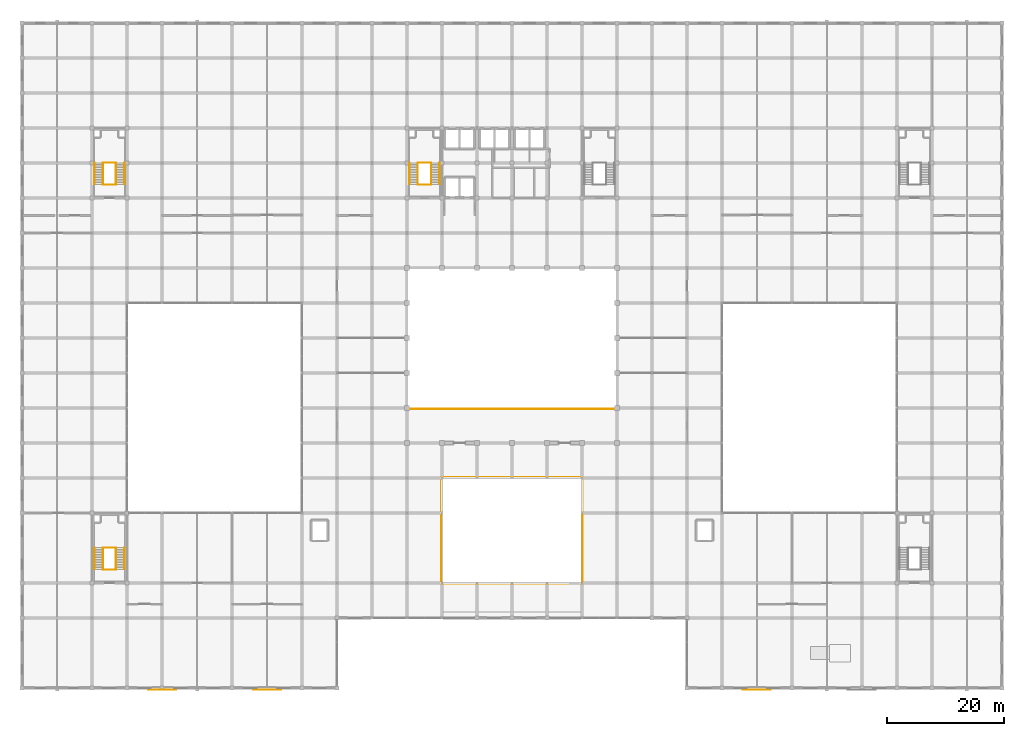
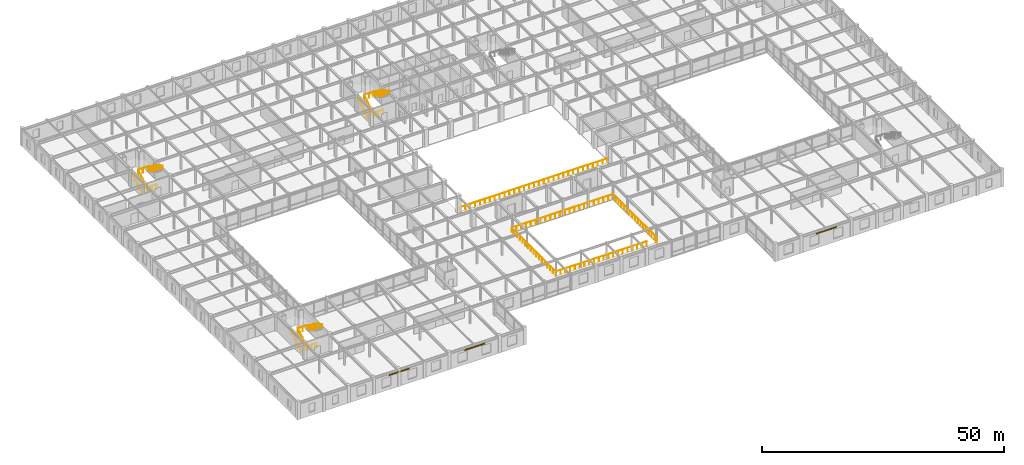
# One storey, part 107 of 108: 14 railings, 3 coverings.
"""IFC4 building model written with IfcOpenShell, lengths in metres."""

from ifc_helpers import new_model, si_unit, direction, frame, origin, origin_2d, place, context, subcontext, project, spatial, rectangle, circle, extrude, material, layer, layer_set, type_object, element, save


model = new_model("IFC4")

# Units and contexts
model_context = context("Model", 3, precision=1e-05, world=origin(), true_north=direction((0.0, 1.0)))
body_context = subcontext(model_context, "Body", "Model", "MODEL_VIEW")
ifc_project = project(units=[si_unit("LENGTHUNIT", "METRE"), si_unit("AREAUNIT", "SQUARE_METRE"), si_unit("VOLUMEUNIT", "CUBIC_METRE"), si_unit("PLANEANGLEUNIT", "RADIAN"), si_unit("MASSUNIT", "GRAM", prefix="KILO")], contexts=[model_context])

# Site, building, storey
site_placement = place(None, origin())
site = spatial("IfcSite", under=ifc_project, at=site_placement, CompositionType="ELEMENT")
building_placement = place(site_placement, origin())
building = spatial("IfcBuilding", under=site, at=building_placement, Name="Zlatovratsky Civic Hall", CompositionType="ELEMENT")
storey_placement = place(building_placement, frame((0.0, 0.0, 12.0)))
storey = spatial("IfcBuildingStorey", under=building, at=storey_placement, Name="L03", CompositionType="ELEMENT", Elevation=12.0)

# Coverings
ifc_material_1 = material(Name="Podolsk limestone ashlar", Category="masonry")
ifc_layer = layer(ifc_material_1, 0.054931640625)
ifc_layer_set = layer_set([ifc_layer], Name="Podolsk limestone ashlar")
covering_type = type_object("IfcCoveringType", Name="Covering_CorniceCladding_55", PredefinedType="CLADDING", material=ifc_layer_set)
for number, where, z_axis, x_axis, name in (
    (1, (24.0, -0.297607421875, 3.47021484375), (0.0, 0.0, 1.0), (1.0, 0.0, 0.0), "CLD-009"),
    (2, (42.0, -0.297607421875, 3.47021484375), (0.0, 0.0, 1.0), (1.0, 0.0, 0.0), "CLD-010"),
    (3, (126.0, -0.297607421875, 3.47021484375), (0.0, 0.0, 1.0), (1.0, 0.0, 0.0), "CLD-011"),
):
    element("IfcCovering", number, at=place(storey_placement, frame(where, z_axis=z_axis, x_axis=x_axis)), inside=storey, type_object=covering_type, Name=name, PredefinedType="CLADDING", context=body_context, shape_type="SweptSolid", body=[
        extrude(rectangle(XDim=4.800048828125, YDim=0.054931640625, at=origin_2d()), origin(), (0.0, 0.0, 1.0), 0.300048828125),
    ])

# Railings
ifc_material_2 = material(Name="Brushed stainless steel AISI 304", Category="steel")
railing_type_1 = type_object("IfcRailingType", Name="Railing_Guardrail_1200", PredefinedType="GUARDRAIL", material=ifc_material_2)
railing_1_placement = place(storey_placement, frame((67.840087890625, 86.35009765625, 0.0)))
element("IfcRailing", 4, at=railing_1_placement, inside=storey, type_object=railing_type_1, Name="RL-0512", PredefinedType="GUARDRAIL", context=body_context, shape_type="SweptSolid", body=[
    extrude(circle(Radius=0.02392578125, at=origin_2d()), frame((0.0, 0.0, 1.17578125), z_axis=(0.0, 0.854722365387, 0.519085424673), x_axis=(-1.0, 0.0, 0.0)), (0.0, 0.0, 1.0), 4.33447265625),
    extrude(circle(Radius=0.02392578125, at=origin_2d()), frame((0.0, 3.704833984375, 3.42578125), z_axis=(1.0, 0.0, 0.0), x_axis=(0.0, 1.0, 0.0)), (0.0, 0.0, 1.0), 2.31982421875),
    extrude(circle(Radius=0.02392578125, at=origin_2d()), frame((2.31982421875, 3.704833984375, 3.42578125), z_axis=(0.0, -0.854722365387, 0.519085424673), x_axis=(1.0, 0.0, 0.0)), (0.0, 0.0, 1.0), 4.33447265625),
    extrude(circle(Radius=0.02099609375, at=origin_2d()), origin(), (0.0, 0.0, 1.0), 1.15185546875),
    extrude(circle(Radius=0.02099609375, at=origin_2d()), frame((0.0, 0.92626953125, 0.5625)), (0.0, 0.0, 1.0), 1.15185546875),
    extrude(circle(Radius=0.02099609375, at=origin_2d()), frame((0.0, 1.8525390625, 1.125)), (0.0, 0.0, 1.0), 1.15185546875),
    extrude(circle(Radius=0.02099609375, at=origin_2d()), frame((0.0, 2.778564453125, 1.6875)), (0.0, 0.0, 1.0), 1.15185546875),
    extrude(circle(Radius=0.02099609375, at=origin_2d()), frame((0.0, 3.704833984375, 2.25)), (0.0, 0.0, 1.0), 1.15185546875),
    extrude(circle(Radius=0.02099609375, at=origin_2d()), frame((1.159912109375, 3.704833984375, 2.25)), (0.0, 0.0, 1.0), 1.15185546875),
    extrude(circle(Radius=0.02099609375, at=origin_2d()), frame((2.31982421875, 3.704833984375, 2.25)), (0.0, 0.0, 1.0), 1.15185546875),
    extrude(circle(Radius=0.02099609375, at=origin_2d()), frame((2.31982421875, 2.778564453125, 2.8125)), (0.0, 0.0, 1.0), 1.15185546875),
    extrude(circle(Radius=0.02099609375, at=origin_2d()), frame((2.31982421875, 1.8525390625, 3.375)), (0.0, 0.0, 1.0), 1.15185546875),
    extrude(circle(Radius=0.02099609375, at=origin_2d()), frame((2.31982421875, 0.92626953125, 3.9375)), (0.0, 0.0, 1.0), 1.15185546875),
    extrude(circle(Radius=0.02099609375, at=origin_2d()), frame((2.31982421875, 0.0, 4.5)), (0.0, 0.0, 1.0), 1.15185546875),
])
railing_2_placement = place(storey_placement, frame((67.840087890625, 86.27001953125, 0.0)))
element("IfcRailing", 5, at=railing_2_placement, inside=storey, type_object=railing_type_1, Name="RL-0515", PredefinedType="GUARDRAIL", context=body_context, shape_type="SweptSolid", body=[
    extrude(circle(Radius=0.02392578125, at=origin_2d()), frame((0.0, 0.0, 1.17578125), z_axis=(1.0, 0.0, 0.0), x_axis=(0.0, 1.0, 0.0)), (0.0, 0.0, 1.0), 2.31982421875),
    extrude(circle(Radius=0.02099609375, at=origin_2d()), origin(), (0.0, 0.0, 1.0), 1.15185546875),
    extrude(circle(Radius=0.02099609375, at=origin_2d()), frame((1.159912109375, 0.0, 0.0)), (0.0, 0.0, 1.0), 1.15185546875),
    extrude(circle(Radius=0.02099609375, at=origin_2d()), frame((2.31982421875, 0.0, 0.0)), (0.0, 0.0, 1.0), 1.15185546875),
])
railing_3_placement = place(storey_placement, frame((13.889892578125, 20.35009765625, 0.0)))
element("IfcRailing", 6, at=railing_3_placement, inside=storey, type_object=railing_type_1, Name="RL-0660", PredefinedType="GUARDRAIL", context=body_context, shape_type="SweptSolid", body=[
    extrude(circle(Radius=0.02392578125, at=origin_2d()), frame((0.0, 0.0, 1.17578125), z_axis=(0.0, 0.854722365387, 0.519085424673), x_axis=(-1.0, 0.0, 0.0)), (0.0, 0.0, 1.0), 4.33447265625),
    extrude(circle(Radius=0.02392578125, at=origin_2d()), frame((0.0, 3.704833984375, 3.42578125), z_axis=(1.0, 0.0, 0.0), x_axis=(0.0, 1.0, 0.0)), (0.0, 0.0, 1.0), 2.22021484375),
    extrude(circle(Radius=0.02392578125, at=origin_2d()), frame((2.22021484375, 3.704833984375, 3.42578125), z_axis=(0.0, -0.854722365387, 0.519085424673), x_axis=(1.0, 0.0, 0.0)), (0.0, 0.0, 1.0), 4.33447265625),
    extrude(circle(Radius=0.02099609375, at=origin_2d()), origin(), (0.0, 0.0, 1.0), 1.15185546875),
    extrude(circle(Radius=0.02099609375, at=origin_2d()), frame((0.0, 0.92626953125, 0.5625)), (0.0, 0.0, 1.0), 1.15185546875),
    extrude(circle(Radius=0.02099609375, at=origin_2d()), frame((0.0, 1.8525390625, 1.125)), (0.0, 0.0, 1.0), 1.15185546875),
    extrude(circle(Radius=0.02099609375, at=origin_2d()), frame((0.0, 2.778564453125, 1.6875)), (0.0, 0.0, 1.0), 1.15185546875),
    extrude(circle(Radius=0.02099609375, at=origin_2d()), frame((0.0, 3.704833984375, 2.25)), (0.0, 0.0, 1.0), 1.15185546875),
    extrude(circle(Radius=0.02099609375, at=origin_2d()), frame((1.110107421875, 3.704833984375, 2.25)), (0.0, 0.0, 1.0), 1.15185546875),
    extrude(circle(Radius=0.02099609375, at=origin_2d()), frame((2.22021484375, 3.704833984375, 2.25)), (0.0, 0.0, 1.0), 1.15185546875),
    extrude(circle(Radius=0.02099609375, at=origin_2d()), frame((2.22021484375, 2.778564453125, 2.8125)), (0.0, 0.0, 1.0), 1.15185546875),
    extrude(circle(Radius=0.02099609375, at=origin_2d()), frame((2.22021484375, 1.8525390625, 3.375)), (0.0, 0.0, 1.0), 1.15185546875),
    extrude(circle(Radius=0.02099609375, at=origin_2d()), frame((2.22021484375, 0.92626953125, 3.9375)), (0.0, 0.0, 1.0), 1.15185546875),
    extrude(circle(Radius=0.02099609375, at=origin_2d()), frame((2.22021484375, 0.0, 4.5)), (0.0, 0.0, 1.0), 1.15185546875),
])
railing_4_placement = place(storey_placement, frame((13.889892578125, 20.27001953125, 0.0)))
element("IfcRailing", 7, at=railing_4_placement, inside=storey, type_object=railing_type_1, Name="RL-0663", PredefinedType="GUARDRAIL", context=body_context, shape_type="SweptSolid", body=[
    extrude(circle(Radius=0.02392578125, at=origin_2d()), frame((0.0, 0.0, 1.17578125), z_axis=(1.0, 0.0, 0.0), x_axis=(0.0, 1.0, 0.0)), (0.0, 0.0, 1.0), 2.22021484375),
    extrude(circle(Radius=0.02099609375, at=origin_2d()), origin(), (0.0, 0.0, 1.0), 1.15185546875),
    extrude(circle(Radius=0.02099609375, at=origin_2d()), frame((1.110107421875, 0.0, 0.0)), (0.0, 0.0, 1.0), 1.15185546875),
    extrude(circle(Radius=0.02099609375, at=origin_2d()), frame((2.22021484375, 0.0, 0.0)), (0.0, 0.0, 1.0), 1.15185546875),
])
railing_5_placement = place(storey_placement, frame((13.889892578125, 86.35009765625, 0.0)))
element("IfcRailing", 8, at=railing_5_placement, inside=storey, type_object=railing_type_1, Name="RL-0692", PredefinedType="GUARDRAIL", context=body_context, shape_type="SweptSolid", body=[
    extrude(circle(Radius=0.02392578125, at=origin_2d()), frame((0.0, 0.0, 1.17578125), z_axis=(0.0, 0.854722365387, 0.519085424673), x_axis=(-1.0, 0.0, 0.0)), (0.0, 0.0, 1.0), 4.33447265625),
    extrude(circle(Radius=0.02392578125, at=origin_2d()), frame((0.0, 3.704833984375, 3.42578125), z_axis=(1.0, 0.0, 0.0), x_axis=(0.0, 1.0, 0.0)), (0.0, 0.0, 1.0), 2.22021484375),
    extrude(circle(Radius=0.02392578125, at=origin_2d()), frame((2.22021484375, 3.704833984375, 3.42578125), z_axis=(0.0, -0.854722365387, 0.519085424673), x_axis=(1.0, 0.0, 0.0)), (0.0, 0.0, 1.0), 4.33447265625),
    extrude(circle(Radius=0.02099609375, at=origin_2d()), origin(), (0.0, 0.0, 1.0), 1.15185546875),
    extrude(circle(Radius=0.02099609375, at=origin_2d()), frame((0.0, 0.92626953125, 0.5625)), (0.0, 0.0, 1.0), 1.15185546875),
    extrude(circle(Radius=0.02099609375, at=origin_2d()), frame((0.0, 1.8525390625, 1.125)), (0.0, 0.0, 1.0), 1.15185546875),
    extrude(circle(Radius=0.02099609375, at=origin_2d()), frame((0.0, 2.778564453125, 1.6875)), (0.0, 0.0, 1.0), 1.15185546875),
    extrude(circle(Radius=0.02099609375, at=origin_2d()), frame((0.0, 3.704833984375, 2.25)), (0.0, 0.0, 1.0), 1.15185546875),
    extrude(circle(Radius=0.02099609375, at=origin_2d()), frame((1.110107421875, 3.704833984375, 2.25)), (0.0, 0.0, 1.0), 1.15185546875),
    extrude(circle(Radius=0.02099609375, at=origin_2d()), frame((2.22021484375, 3.704833984375, 2.25)), (0.0, 0.0, 1.0), 1.15185546875),
    extrude(circle(Radius=0.02099609375, at=origin_2d()), frame((2.22021484375, 2.778564453125, 2.8125)), (0.0, 0.0, 1.0), 1.15185546875),
    extrude(circle(Radius=0.02099609375, at=origin_2d()), frame((2.22021484375, 1.8525390625, 3.375)), (0.0, 0.0, 1.0), 1.15185546875),
    extrude(circle(Radius=0.02099609375, at=origin_2d()), frame((2.22021484375, 0.92626953125, 3.9375)), (0.0, 0.0, 1.0), 1.15185546875),
    extrude(circle(Radius=0.02099609375, at=origin_2d()), frame((2.22021484375, 0.0, 4.5)), (0.0, 0.0, 1.0), 1.15185546875),
])
railing_6_placement = place(storey_placement, frame((13.889892578125, 86.27001953125, 0.0)))
element("IfcRailing", 9, at=railing_6_placement, inside=storey, type_object=railing_type_1, Name="RL-0695", PredefinedType="GUARDRAIL", context=body_context, shape_type="SweptSolid", body=[
    extrude(circle(Radius=0.02392578125, at=origin_2d()), frame((0.0, 0.0, 1.17578125), z_axis=(1.0, 0.0, 0.0), x_axis=(0.0, 1.0, 0.0)), (0.0, 0.0, 1.0), 2.22021484375),
    extrude(circle(Radius=0.02099609375, at=origin_2d()), origin(), (0.0, 0.0, 1.0), 1.15185546875),
    extrude(circle(Radius=0.02099609375, at=origin_2d()), frame((1.110107421875, 0.0, 0.0)), (0.0, 0.0, 1.0), 1.15185546875),
    extrude(circle(Radius=0.02099609375, at=origin_2d()), frame((2.22021484375, 0.0, 0.0)), (0.0, 0.0, 1.0), 1.15185546875),
])
railing_7_placement = place(storey_placement, frame((93.60009765625, 17.8798828125, 0.0)))
element("IfcRailing", 10, at=railing_7_placement, inside=storey, type_object=railing_type_1, Name="RL-0728", PredefinedType="GUARDRAIL", context=body_context, shape_type="SweptSolid", body=[
    extrude(circle(Radius=0.02392578125, at=origin_2d()), frame((0.0, 0.0, 1.17578125), z_axis=(-1.0, 0.0, 0.0), x_axis=(0.0, -1.0, 0.0)), (0.0, 0.0, 1.0), 21.72021484375),
    extrude(circle(Radius=0.02392578125, at=origin_2d()), frame((-21.72021484375, 0.0, 1.17578125), z_axis=(0.0, 1.0, 0.0), x_axis=(-1.0, 0.0, 0.0)), (0.0, 0.0, 1.0), 18.240234375),
    extrude(circle(Radius=0.02392578125, at=origin_2d()), frame((-21.72021484375, 18.240234375, 1.17578125), z_axis=(1.0, 0.0, 0.0), x_axis=(0.0, 1.0, 0.0)), (0.0, 0.0, 1.0), 24.240234375),
    extrude(circle(Radius=0.02392578125, at=origin_2d()), frame((2.52001953125, 18.240234375, 1.17578125), z_axis=(0.0, -1.0, 0.0), x_axis=(1.0, 0.0, 0.0)), (0.0, 0.0, 1.0), 18.240234375),
    extrude(circle(Radius=0.02392578125, at=origin_2d()), frame((2.52001953125, 0.0, 1.17578125), z_axis=(-1.0, 0.0, 0.0), x_axis=(0.0, -1.0, 0.0)), (0.0, 0.0, 1.0), 0.320068359375),
    extrude(circle(Radius=0.02099609375, at=origin_2d()), origin(), (0.0, 0.0, 1.0), 1.15185546875),
    extrude(circle(Radius=0.02099609375, at=origin_2d()), frame((-1.14306640625, 0.0, 0.0)), (0.0, 0.0, 1.0), 1.15185546875),
    extrude(circle(Radius=0.02099609375, at=origin_2d()), frame((-2.286376953125, 0.0, 0.0)), (0.0, 0.0, 1.0), 1.15185546875),
    extrude(circle(Radius=0.02099609375, at=origin_2d()), frame((-3.429443359375, 0.0, 0.0)), (0.0, 0.0, 1.0), 1.15185546875),
    extrude(circle(Radius=0.02099609375, at=origin_2d()), frame((-4.57275390625, 0.0, 0.0)), (0.0, 0.0, 1.0), 1.15185546875),
    extrude(circle(Radius=0.02099609375, at=origin_2d()), frame((-5.7158203125, 0.0, 0.0)), (0.0, 0.0, 1.0), 1.15185546875),
    extrude(circle(Radius=0.02099609375, at=origin_2d()), frame((-6.859130859375, 0.0, 0.0)), (0.0, 0.0, 1.0), 1.15185546875),
    extrude(circle(Radius=0.02099609375, at=origin_2d()), frame((-8.002197265625, 0.0, 0.0)), (0.0, 0.0, 1.0), 1.15185546875),
    extrude(circle(Radius=0.02099609375, at=origin_2d()), frame((-9.145263671875, 0.0, 0.0)), (0.0, 0.0, 1.0), 1.15185546875),
    extrude(circle(Radius=0.02099609375, at=origin_2d()), frame((-10.28857421875, 0.0, 0.0)), (0.0, 0.0, 1.0), 1.15185546875),
    extrude(circle(Radius=0.02099609375, at=origin_2d()), frame((-11.431640625, 0.0, 0.0)), (0.0, 0.0, 1.0), 1.15185546875),
    extrude(circle(Radius=0.02099609375, at=origin_2d()), frame((-12.574951171875, 0.0, 0.0)), (0.0, 0.0, 1.0), 1.15185546875),
    extrude(circle(Radius=0.02099609375, at=origin_2d()), frame((-13.718017578125, 0.0, 0.0)), (0.0, 0.0, 1.0), 1.15185546875),
    extrude(circle(Radius=0.02099609375, at=origin_2d()), frame((-14.861083984375, 0.0, 0.0)), (0.0, 0.0, 1.0), 1.15185546875),
    extrude(circle(Radius=0.02099609375, at=origin_2d()), frame((-16.00439453125, 0.0, 0.0)), (0.0, 0.0, 1.0), 1.15185546875),
    extrude(circle(Radius=0.02099609375, at=origin_2d()), frame((-17.1474609375, 0.0, 0.0)), (0.0, 0.0, 1.0), 1.15185546875),
    extrude(circle(Radius=0.02099609375, at=origin_2d()), frame((-18.290771484375, 0.0, 0.0)), (0.0, 0.0, 1.0), 1.15185546875),
    extrude(circle(Radius=0.02099609375, at=origin_2d()), frame((-19.433837890625, 0.0, 0.0)), (0.0, 0.0, 1.0), 1.15185546875),
    extrude(circle(Radius=0.02099609375, at=origin_2d()), frame((-20.5771484375, 0.0, 0.0)), (0.0, 0.0, 1.0), 1.15185546875),
    extrude(circle(Radius=0.02099609375, at=origin_2d()), frame((-21.72021484375, 0.0, 0.0)), (0.0, 0.0, 1.0), 1.15185546875),
    extrude(circle(Radius=0.02099609375, at=origin_2d()), frame((-21.72021484375, 1.14013671875, 0.0)), (0.0, 0.0, 1.0), 1.15185546875),
    extrude(circle(Radius=0.02099609375, at=origin_2d()), frame((-21.72021484375, 2.280029296875, 0.0)), (0.0, 0.0, 1.0), 1.15185546875),
    extrude(circle(Radius=0.02099609375, at=origin_2d()), frame((-21.72021484375, 3.419921875, 0.0)), (0.0, 0.0, 1.0), 1.15185546875),
    extrude(circle(Radius=0.02099609375, at=origin_2d()), frame((-21.72021484375, 4.56005859375, 0.0)), (0.0, 0.0, 1.0), 1.15185546875),
    extrude(circle(Radius=0.02099609375, at=origin_2d()), frame((-21.72021484375, 5.7001953125, 0.0)), (0.0, 0.0, 1.0), 1.15185546875),
    extrude(circle(Radius=0.02099609375, at=origin_2d()), frame((-21.72021484375, 6.840087890625, 0.0)), (0.0, 0.0, 1.0), 1.15185546875),
    extrude(circle(Radius=0.02099609375, at=origin_2d()), frame((-21.72021484375, 7.97998046875, 0.0)), (0.0, 0.0, 1.0), 1.15185546875),
    extrude(circle(Radius=0.02099609375, at=origin_2d()), frame((-21.72021484375, 9.1201171875, 0.0)), (0.0, 0.0, 1.0), 1.15185546875),
    extrude(circle(Radius=0.02099609375, at=origin_2d()), frame((-21.72021484375, 10.26025390625, 0.0)), (0.0, 0.0, 1.0), 1.15185546875),
    extrude(circle(Radius=0.02099609375, at=origin_2d()), frame((-21.72021484375, 11.400146484375, 0.0)), (0.0, 0.0, 1.0), 1.15185546875),
    extrude(circle(Radius=0.02099609375, at=origin_2d()), frame((-21.72021484375, 12.5400390625, 0.0)), (0.0, 0.0, 1.0), 1.15185546875),
    extrude(circle(Radius=0.02099609375, at=origin_2d()), frame((-21.72021484375, 13.68017578125, 0.0)), (0.0, 0.0, 1.0), 1.15185546875),
    extrude(circle(Radius=0.02099609375, at=origin_2d()), frame((-21.72021484375, 14.8203125, 0.0)), (0.0, 0.0, 1.0), 1.15185546875),
    extrude(circle(Radius=0.02099609375, at=origin_2d()), frame((-21.72021484375, 15.960205078125, 0.0)), (0.0, 0.0, 1.0), 1.15185546875),
    extrude(circle(Radius=0.02099609375, at=origin_2d()), frame((-21.72021484375, 17.10009765625, 0.0)), (0.0, 0.0, 1.0), 1.15185546875),
    extrude(circle(Radius=0.02099609375, at=origin_2d()), frame((-21.72021484375, 18.240234375, 0.0)), (0.0, 0.0, 1.0), 1.15185546875),
    extrude(circle(Radius=0.02099609375, at=origin_2d()), frame((-20.56591796875, 18.240234375, 0.0)), (0.0, 0.0, 1.0), 1.15185546875),
    extrude(circle(Radius=0.02099609375, at=origin_2d()), frame((-19.41162109375, 18.240234375, 0.0)), (0.0, 0.0, 1.0), 1.15185546875),
    extrude(circle(Radius=0.02099609375, at=origin_2d()), frame((-18.25732421875, 18.240234375, 0.0)), (0.0, 0.0, 1.0), 1.15185546875),
    extrude(circle(Radius=0.02099609375, at=origin_2d()), frame((-17.10302734375, 18.240234375, 0.0)), (0.0, 0.0, 1.0), 1.15185546875),
    extrude(circle(Radius=0.02099609375, at=origin_2d()), frame((-15.94873046875, 18.240234375, 0.0)), (0.0, 0.0, 1.0), 1.15185546875),
    extrude(circle(Radius=0.02099609375, at=origin_2d()), frame((-14.79443359375, 18.240234375, 0.0)), (0.0, 0.0, 1.0), 1.15185546875),
    extrude(circle(Radius=0.02099609375, at=origin_2d()), frame((-13.64013671875, 18.240234375, 0.0)), (0.0, 0.0, 1.0), 1.15185546875),
    extrude(circle(Radius=0.02099609375, at=origin_2d()), frame((-12.48583984375, 18.240234375, 0.0)), (0.0, 0.0, 1.0), 1.15185546875),
    extrude(circle(Radius=0.02099609375, at=origin_2d()), frame((-11.33154296875, 18.240234375, 0.0)), (0.0, 0.0, 1.0), 1.15185546875),
    extrude(circle(Radius=0.02099609375, at=origin_2d()), frame((-10.17724609375, 18.240234375, 0.0)), (0.0, 0.0, 1.0), 1.15185546875),
    extrude(circle(Radius=0.02099609375, at=origin_2d()), frame((-9.02294921875, 18.240234375, 0.0)), (0.0, 0.0, 1.0), 1.15185546875),
    extrude(circle(Radius=0.02099609375, at=origin_2d()), frame((-7.86865234375, 18.240234375, 0.0)), (0.0, 0.0, 1.0), 1.15185546875),
    extrude(circle(Radius=0.02099609375, at=origin_2d()), frame((-6.71435546875, 18.240234375, 0.0)), (0.0, 0.0, 1.0), 1.15185546875),
    extrude(circle(Radius=0.02099609375, at=origin_2d()), frame((-5.56005859375, 18.240234375, 0.0)), (0.0, 0.0, 1.0), 1.15185546875),
    extrude(circle(Radius=0.02099609375, at=origin_2d()), frame((-4.40576171875, 18.240234375, 0.0)), (0.0, 0.0, 1.0), 1.15185546875),
    extrude(circle(Radius=0.02099609375, at=origin_2d()), frame((-3.25146484375, 18.240234375, 0.0)), (0.0, 0.0, 1.0), 1.15185546875),
    extrude(circle(Radius=0.02099609375, at=origin_2d()), frame((-2.09716796875, 18.240234375, 0.0)), (0.0, 0.0, 1.0), 1.15185546875),
    extrude(circle(Radius=0.02099609375, at=origin_2d()), frame((-0.94287109375, 18.240234375, 0.0)), (0.0, 0.0, 1.0), 1.15185546875),
    extrude(circle(Radius=0.02099609375, at=origin_2d()), frame((0.21142578125, 18.240234375, 0.0)), (0.0, 0.0, 1.0), 1.15185546875),
    extrude(circle(Radius=0.02099609375, at=origin_2d()), frame((1.36572265625, 18.240234375, 0.0)), (0.0, 0.0, 1.0), 1.15185546875),
    extrude(circle(Radius=0.02099609375, at=origin_2d()), frame((2.52001953125, 18.240234375, 0.0)), (0.0, 0.0, 1.0), 1.15185546875),
    extrude(circle(Radius=0.02099609375, at=origin_2d()), frame((2.52001953125, 17.10009765625, 0.0)), (0.0, 0.0, 1.0), 1.15185546875),
    extrude(circle(Radius=0.02099609375, at=origin_2d()), frame((2.52001953125, 15.960205078125, 0.0)), (0.0, 0.0, 1.0), 1.15185546875),
    extrude(circle(Radius=0.02099609375, at=origin_2d()), frame((2.52001953125, 14.8203125, 0.0)), (0.0, 0.0, 1.0), 1.15185546875),
    extrude(circle(Radius=0.02099609375, at=origin_2d()), frame((2.52001953125, 13.68017578125, 0.0)), (0.0, 0.0, 1.0), 1.15185546875),
    extrude(circle(Radius=0.02099609375, at=origin_2d()), frame((2.52001953125, 12.5400390625, 0.0)), (0.0, 0.0, 1.0), 1.15185546875),
    extrude(circle(Radius=0.02099609375, at=origin_2d()), frame((2.52001953125, 11.400146484375, 0.0)), (0.0, 0.0, 1.0), 1.15185546875),
    extrude(circle(Radius=0.02099609375, at=origin_2d()), frame((2.52001953125, 10.26025390625, 0.0)), (0.0, 0.0, 1.0), 1.15185546875),
    extrude(circle(Radius=0.02099609375, at=origin_2d()), frame((2.52001953125, 9.1201171875, 0.0)), (0.0, 0.0, 1.0), 1.15185546875),
    extrude(circle(Radius=0.02099609375, at=origin_2d()), frame((2.52001953125, 7.97998046875, 0.0)), (0.0, 0.0, 1.0), 1.15185546875),
    extrude(circle(Radius=0.02099609375, at=origin_2d()), frame((2.52001953125, 6.840087890625, 0.0)), (0.0, 0.0, 1.0), 1.15185546875),
    extrude(circle(Radius=0.02099609375, at=origin_2d()), frame((2.52001953125, 5.7001953125, 0.0)), (0.0, 0.0, 1.0), 1.15185546875),
    extrude(circle(Radius=0.02099609375, at=origin_2d()), frame((2.52001953125, 4.56005859375, 0.0)), (0.0, 0.0, 1.0), 1.15185546875),
    extrude(circle(Radius=0.02099609375, at=origin_2d()), frame((2.52001953125, 3.419921875, 0.0)), (0.0, 0.0, 1.0), 1.15185546875),
    extrude(circle(Radius=0.02099609375, at=origin_2d()), frame((2.52001953125, 2.280029296875, 0.0)), (0.0, 0.0, 1.0), 1.15185546875),
    extrude(circle(Radius=0.02099609375, at=origin_2d()), frame((2.52001953125, 1.14013671875, 0.0)), (0.0, 0.0, 1.0), 1.15185546875),
    extrude(circle(Radius=0.02099609375, at=origin_2d()), frame((2.52001953125, 0.0, 0.0)), (0.0, 0.0, 1.0), 1.15185546875),
    extrude(circle(Radius=0.02099609375, at=origin_2d()), frame((2.199951171875, 0.0, 0.0)), (0.0, 0.0, 1.0), 1.15185546875),
])
railing_8_placement = place(storey_placement, frame((66.449951171875, 47.860107421875, 0.0)))
element("IfcRailing", 11, at=railing_8_placement, inside=storey, type_object=railing_type_1, Name="RL-0729", PredefinedType="GUARDRAIL", context=body_context, shape_type="SweptSolid", body=[
    extrude(circle(Radius=0.02392578125, at=origin_2d()), frame((0.0, 0.0, 1.17578125), z_axis=(1.0, 0.0, 0.0), x_axis=(0.0, 1.0, 0.0)), (0.0, 0.0, 1.0), 35.10009765625),
    extrude(circle(Radius=0.02099609375, at=origin_2d()), origin(), (0.0, 0.0, 1.0), 1.15185546875),
    extrude(circle(Radius=0.02099609375, at=origin_2d()), frame((1.169921875, 0.0, 0.0)), (0.0, 0.0, 1.0), 1.15185546875),
    extrude(circle(Radius=0.02099609375, at=origin_2d()), frame((2.340087890625, 0.0, 0.0)), (0.0, 0.0, 1.0), 1.15185546875),
    extrude(circle(Radius=0.02099609375, at=origin_2d()), frame((3.510009765625, 0.0, 0.0)), (0.0, 0.0, 1.0), 1.15185546875),
    extrude(circle(Radius=0.02099609375, at=origin_2d()), frame((4.679931640625, 0.0, 0.0)), (0.0, 0.0, 1.0), 1.15185546875),
    extrude(circle(Radius=0.02099609375, at=origin_2d()), frame((5.85009765625, 0.0, 0.0)), (0.0, 0.0, 1.0), 1.15185546875),
    extrude(circle(Radius=0.02099609375, at=origin_2d()), frame((7.02001953125, 0.0, 0.0)), (0.0, 0.0, 1.0), 1.15185546875),
    extrude(circle(Radius=0.02099609375, at=origin_2d()), frame((8.18994140625, 0.0, 0.0)), (0.0, 0.0, 1.0), 1.15185546875),
    extrude(circle(Radius=0.02099609375, at=origin_2d()), frame((9.360107421875, 0.0, 0.0)), (0.0, 0.0, 1.0), 1.15185546875),
    extrude(circle(Radius=0.02099609375, at=origin_2d()), frame((10.530029296875, 0.0, 0.0)), (0.0, 0.0, 1.0), 1.15185546875),
    extrude(circle(Radius=0.02099609375, at=origin_2d()), frame((11.699951171875, 0.0, 0.0)), (0.0, 0.0, 1.0), 1.15185546875),
    extrude(circle(Radius=0.02099609375, at=origin_2d()), frame((12.8701171875, 0.0, 0.0)), (0.0, 0.0, 1.0), 1.15185546875),
    extrude(circle(Radius=0.02099609375, at=origin_2d()), frame((14.0400390625, 0.0, 0.0)), (0.0, 0.0, 1.0), 1.15185546875),
    extrude(circle(Radius=0.02099609375, at=origin_2d()), frame((15.2099609375, 0.0, 0.0)), (0.0, 0.0, 1.0), 1.15185546875),
    extrude(circle(Radius=0.02099609375, at=origin_2d()), frame((16.380126953125, 0.0, 0.0)), (0.0, 0.0, 1.0), 1.15185546875),
    extrude(circle(Radius=0.02099609375, at=origin_2d()), frame((17.550048828125, 0.0, 0.0)), (0.0, 0.0, 1.0), 1.15185546875),
    extrude(circle(Radius=0.02099609375, at=origin_2d()), frame((18.719970703125, 0.0, 0.0)), (0.0, 0.0, 1.0), 1.15185546875),
    extrude(circle(Radius=0.02099609375, at=origin_2d()), frame((19.89013671875, 0.0, 0.0)), (0.0, 0.0, 1.0), 1.15185546875),
    extrude(circle(Radius=0.02099609375, at=origin_2d()), frame((21.06005859375, 0.0, 0.0)), (0.0, 0.0, 1.0), 1.15185546875),
    extrude(circle(Radius=0.02099609375, at=origin_2d()), frame((22.22998046875, 0.0, 0.0)), (0.0, 0.0, 1.0), 1.15185546875),
    extrude(circle(Radius=0.02099609375, at=origin_2d()), frame((23.400146484375, 0.0, 0.0)), (0.0, 0.0, 1.0), 1.15185546875),
    extrude(circle(Radius=0.02099609375, at=origin_2d()), frame((24.570068359375, 0.0, 0.0)), (0.0, 0.0, 1.0), 1.15185546875),
    extrude(circle(Radius=0.02099609375, at=origin_2d()), frame((25.739990234375, 0.0, 0.0)), (0.0, 0.0, 1.0), 1.15185546875),
    extrude(circle(Radius=0.02099609375, at=origin_2d()), frame((26.91015625, 0.0, 0.0)), (0.0, 0.0, 1.0), 1.15185546875),
    extrude(circle(Radius=0.02099609375, at=origin_2d()), frame((28.080078125, 0.0, 0.0)), (0.0, 0.0, 1.0), 1.15185546875),
    extrude(circle(Radius=0.02099609375, at=origin_2d()), frame((29.25, 0.0, 0.0)), (0.0, 0.0, 1.0), 1.15185546875),
    extrude(circle(Radius=0.02099609375, at=origin_2d()), frame((30.420166015625, 0.0, 0.0)), (0.0, 0.0, 1.0), 1.15185546875),
    extrude(circle(Radius=0.02099609375, at=origin_2d()), frame((31.590087890625, 0.0, 0.0)), (0.0, 0.0, 1.0), 1.15185546875),
    extrude(circle(Radius=0.02099609375, at=origin_2d()), frame((32.760009765625, 0.0, 0.0)), (0.0, 0.0, 1.0), 1.15185546875),
    extrude(circle(Radius=0.02099609375, at=origin_2d()), frame((33.93017578125, 0.0, 0.0)), (0.0, 0.0, 1.0), 1.15185546875),
    extrude(circle(Radius=0.02099609375, at=origin_2d()), frame((35.10009765625, 0.0, 0.0)), (0.0, 0.0, 1.0), 1.15185546875),
])
railing_type_2 = type_object("IfcRailingType", Name="Railing_Handrail_900", PredefinedType="HANDRAIL", material=ifc_material_2)
railing_9_placement = place(storey_placement, frame((66.429931640625, 86.35009765625, 0.160888671875)))
element("IfcRailing", 12, at=railing_9_placement, inside=storey, type_object=railing_type_2, Name="RL-0513", PredefinedType="HANDRAIL", context=body_context, shape_type="SweptSolid", body=[
    extrude(circle(Radius=0.02392578125, at=origin_2d()), frame((0.0, 0.0, 0.8759765625), z_axis=(0.0, 0.871058445265, 0.491179381623), x_axis=(-1.0, 0.0, 0.0)), (0.0, 0.0, 1.0), 4.253173828125),
    extrude(circle(Radius=0.02099609375, at=origin_2d()), origin(), (0.0, 0.0, 1.0), 0.851806640625),
    extrude(circle(Radius=0.02099609375, at=origin_2d()), frame((0.0, 0.92626953125, 0.522216796875)), (0.0, 0.0, 1.0), 0.851806640625),
    extrude(circle(Radius=0.02099609375, at=origin_2d()), frame((0.0, 1.8525390625, 1.04443359375)), (0.0, 0.0, 1.0), 0.851806640625),
    extrude(circle(Radius=0.02099609375, at=origin_2d()), frame((0.0, 2.778564453125, 1.56689453125)), (0.0, 0.0, 1.0), 0.851806640625),
    extrude(circle(Radius=0.02099609375, at=origin_2d()), frame((0.0, 3.704833984375, 2.089111328125)), (0.0, 0.0, 1.0), 0.851806640625),
])
railing_10_placement = place(storey_placement, frame((71.570068359375, 90.054931640625, 2.410888671875)))
element("IfcRailing", 13, at=railing_10_placement, inside=storey, type_object=railing_type_2, Name="RL-0514", PredefinedType="HANDRAIL", context=body_context, shape_type="SweptSolid", body=[
    extrude(circle(Radius=0.02392578125, at=origin_2d()), frame((0.0, 0.0, 0.8759765625), z_axis=(0.0, -0.871058445265, 0.491179381623), x_axis=(1.0, 0.0, 0.0)), (0.0, 0.0, 1.0), 4.253173828125),
    extrude(circle(Radius=0.02099609375, at=origin_2d()), origin(), (0.0, 0.0, 1.0), 0.851806640625),
    extrude(circle(Radius=0.02099609375, at=origin_2d()), frame((0.0, -0.92626953125, 0.522216796875)), (0.0, 0.0, 1.0), 0.851806640625),
    extrude(circle(Radius=0.02099609375, at=origin_2d()), frame((0.0, -1.8525390625, 1.04443359375)), (0.0, 0.0, 1.0), 0.851806640625),
    extrude(circle(Radius=0.02099609375, at=origin_2d()), frame((0.0, -2.778564453125, 1.56689453125)), (0.0, 0.0, 1.0), 0.851806640625),
    extrude(circle(Radius=0.02099609375, at=origin_2d()), frame((0.0, -3.704833984375, 2.089111328125)), (0.0, 0.0, 1.0), 0.851806640625),
])
railing_11_placement = place(storey_placement, frame((12.429931640625, 20.35009765625, 0.160888671875)))
element("IfcRailing", 14, at=railing_11_placement, inside=storey, type_object=railing_type_2, Name="RL-0661", PredefinedType="HANDRAIL", context=body_context, shape_type="SweptSolid", body=[
    extrude(circle(Radius=0.02392578125, at=origin_2d()), frame((0.0, 0.0, 0.8759765625), z_axis=(0.0, 0.871058445265, 0.491179381623), x_axis=(-1.0, 0.0, 0.0)), (0.0, 0.0, 1.0), 4.253173828125),
    extrude(circle(Radius=0.02099609375, at=origin_2d()), origin(), (0.0, 0.0, 1.0), 0.851806640625),
    extrude(circle(Radius=0.02099609375, at=origin_2d()), frame((0.0, 0.92626953125, 0.522216796875)), (0.0, 0.0, 1.0), 0.851806640625),
    extrude(circle(Radius=0.02099609375, at=origin_2d()), frame((0.0, 1.8525390625, 1.04443359375)), (0.0, 0.0, 1.0), 0.851806640625),
    extrude(circle(Radius=0.02099609375, at=origin_2d()), frame((0.0, 2.778564453125, 1.56689453125)), (0.0, 0.0, 1.0), 0.851806640625),
    extrude(circle(Radius=0.02099609375, at=origin_2d()), frame((0.0, 3.704833984375, 2.089111328125)), (0.0, 0.0, 1.0), 0.851806640625),
])
railing_12_placement = place(storey_placement, frame((17.570068359375, 24.054931640625, 2.410888671875)))
element("IfcRailing", 15, at=railing_12_placement, inside=storey, type_object=railing_type_2, Name="RL-0662", PredefinedType="HANDRAIL", context=body_context, shape_type="SweptSolid", body=[
    extrude(circle(Radius=0.02392578125, at=origin_2d()), frame((0.0, 0.0, 0.8759765625), z_axis=(0.0, -0.871058445265, 0.491179381623), x_axis=(1.0, 0.0, 0.0)), (0.0, 0.0, 1.0), 4.253173828125),
    extrude(circle(Radius=0.02099609375, at=origin_2d()), origin(), (0.0, 0.0, 1.0), 0.851806640625),
    extrude(circle(Radius=0.02099609375, at=origin_2d()), frame((0.0, -0.92626953125, 0.522216796875)), (0.0, 0.0, 1.0), 0.851806640625),
    extrude(circle(Radius=0.02099609375, at=origin_2d()), frame((0.0, -1.8525390625, 1.04443359375)), (0.0, 0.0, 1.0), 0.851806640625),
    extrude(circle(Radius=0.02099609375, at=origin_2d()), frame((0.0, -2.778564453125, 1.56689453125)), (0.0, 0.0, 1.0), 0.851806640625),
    extrude(circle(Radius=0.02099609375, at=origin_2d()), frame((0.0, -3.704833984375, 2.089111328125)), (0.0, 0.0, 1.0), 0.851806640625),
])
railing_13_placement = place(storey_placement, frame((12.429931640625, 86.35009765625, 0.160888671875)))
element("IfcRailing", 16, at=railing_13_placement, inside=storey, type_object=railing_type_2, Name="RL-0693", PredefinedType="HANDRAIL", context=body_context, shape_type="SweptSolid", body=[
    extrude(circle(Radius=0.02392578125, at=origin_2d()), frame((0.0, 0.0, 0.8759765625), z_axis=(0.0, 0.871058445265, 0.491179381623), x_axis=(-1.0, 0.0, 0.0)), (0.0, 0.0, 1.0), 4.253173828125),
    extrude(circle(Radius=0.02099609375, at=origin_2d()), origin(), (0.0, 0.0, 1.0), 0.851806640625),
    extrude(circle(Radius=0.02099609375, at=origin_2d()), frame((0.0, 0.92626953125, 0.522216796875)), (0.0, 0.0, 1.0), 0.851806640625),
    extrude(circle(Radius=0.02099609375, at=origin_2d()), frame((0.0, 1.8525390625, 1.04443359375)), (0.0, 0.0, 1.0), 0.851806640625),
    extrude(circle(Radius=0.02099609375, at=origin_2d()), frame((0.0, 2.778564453125, 1.56689453125)), (0.0, 0.0, 1.0), 0.851806640625),
    extrude(circle(Radius=0.02099609375, at=origin_2d()), frame((0.0, 3.704833984375, 2.089111328125)), (0.0, 0.0, 1.0), 0.851806640625),
])
railing_14_placement = place(storey_placement, frame((17.570068359375, 90.054931640625, 2.410888671875)))
element("IfcRailing", 17, at=railing_14_placement, inside=storey, type_object=railing_type_2, Name="RL-0694", PredefinedType="HANDRAIL", context=body_context, shape_type="SweptSolid", body=[
    extrude(circle(Radius=0.02392578125, at=origin_2d()), frame((0.0, 0.0, 0.8759765625), z_axis=(0.0, -0.871058445265, 0.491179381623), x_axis=(1.0, 0.0, 0.0)), (0.0, 0.0, 1.0), 4.253173828125),
    extrude(circle(Radius=0.02099609375, at=origin_2d()), origin(), (0.0, 0.0, 1.0), 0.851806640625),
    extrude(circle(Radius=0.02099609375, at=origin_2d()), frame((0.0, -0.92626953125, 0.522216796875)), (0.0, 0.0, 1.0), 0.851806640625),
    extrude(circle(Radius=0.02099609375, at=origin_2d()), frame((0.0, -1.8525390625, 1.04443359375)), (0.0, 0.0, 1.0), 0.851806640625),
    extrude(circle(Radius=0.02099609375, at=origin_2d()), frame((0.0, -2.778564453125, 1.56689453125)), (0.0, 0.0, 1.0), 0.851806640625),
    extrude(circle(Radius=0.02099609375, at=origin_2d()), frame((0.0, -3.704833984375, 2.089111328125)), (0.0, 0.0, 1.0), 0.851806640625),
])

save(model, "model.ifc")
